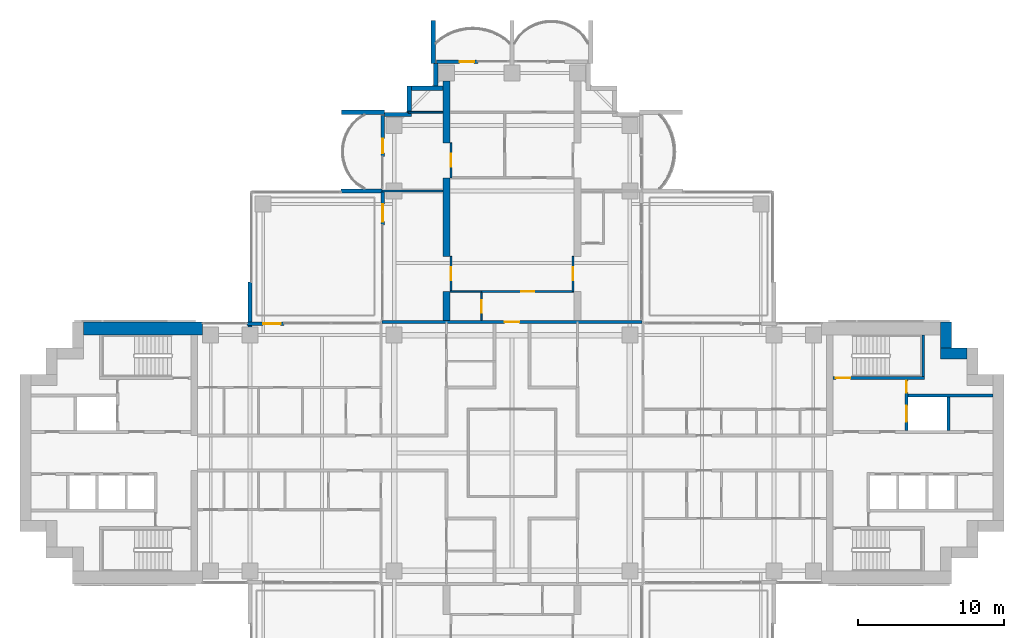
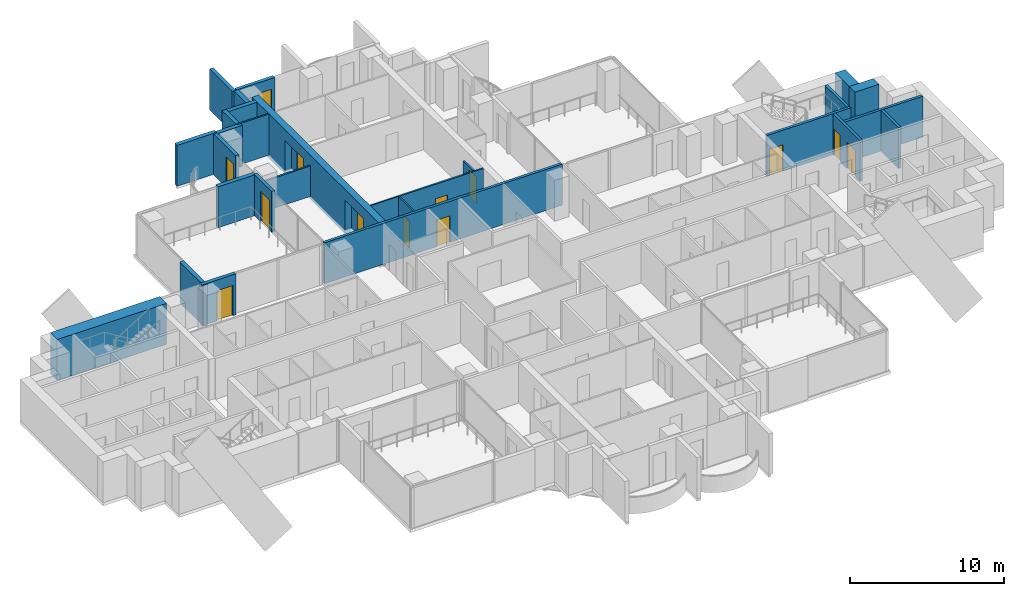
# One storey, part 13 of 19: 30 walls, 13 doors, 13 openings.
"""IFC4 building model written with IfcOpenShell, lengths in metres."""

from ifc_helpers import new_model, si_unit, direction, frame, frame_2d, origin, place, context, subcontext, project, spatial, polyline, rectangle, outline, extrude, material, layer, layer_set, material_profile, profile_set, type_object, element, fill, save


model = new_model("IFC4")

# Units and contexts
model_context = context("Model", 3, precision=1e-05, world=origin(), true_north=direction((0.0, 1.0)))
body_context = subcontext(model_context, "Body", "Model", "MODEL_VIEW")
ifc_project = project(units=[si_unit("LENGTHUNIT", "METRE"), si_unit("AREAUNIT", "SQUARE_METRE"), si_unit("VOLUMEUNIT", "CUBIC_METRE"), si_unit("PLANEANGLEUNIT", "RADIAN"), si_unit("MASSUNIT", "GRAM", prefix="KILO")], contexts=[model_context])

# Site, building, storey
site_placement = place(None, origin())
site = spatial("IfcSite", under=ifc_project, at=site_placement, CompositionType="ELEMENT")
building_placement = place(site_placement, origin())
building = spatial("IfcBuilding", under=site, at=building_placement, Name="Perihelion Cross Residences", CompositionType="ELEMENT")
storey_placement = place(building_placement, frame((0.0, 0.0, 137.39990234375)))
storey = spatial("IfcBuildingStorey", under=building, at=storey_placement, Name="L33", CompositionType="ELEMENT", Elevation=137.39990234375)

# Wall, opening, door
ifc_material_1 = material(Name="Plasterboard partition")
ifc_layer_1 = layer(ifc_material_1, 0.199951171875)
ifc_layer_set_1 = layer_set([ifc_layer_1], Name="Apartment separation wall 200")
wall_type_1 = type_object("IfcWallType", Name="Apartment separation wall 200", PredefinedType="PARTITIONING", material=ifc_layer_set_1)
wall_1_placement = place(storey_placement, frame((-8.919921875, 9.0, 0.0), z_axis=(0.0, 0.0, 1.0), x_axis=(1.0, 0.0, 0.0)))
wall_1 = element("IfcWall", 1, at=wall_1_placement, inside=storey, type_object=wall_type_1, Name="Partition L33 W021", PredefinedType="PARTITIONING", context=body_context, shape_type="SweptSolid", body=[
    extrude(rectangle(XDim=17.83984375, YDim=0.199951171875, at=frame_2d((8.919921875, 0.0))), origin(), (0.0, 0.0, 1.0), 3.25),
])
opening_1_placement = place(wall_1_placement, frame((8.419921875, 0.0, 0.0)))
opening_1 = element("IfcOpeningElement", 2, at=opening_1_placement, cuts=wall_1, Name="Opening L33.A32", PredefinedType="OPENING", context=body_context, shape_type="SweptSolid", body=[
    extrude(rectangle(XDim=1.0, YDim=2.10009765625, at=frame_2d((0.5, 1.050048828125))), frame((0.0, 0.10986328125, 0.0), z_axis=(0.0, -1.0, 0.0), x_axis=(1.0, 0.0, 0.0)), (0.0, 0.0, 1.0), 0.219970703125),
])
ifc_material_2 = material(Name="Timber door leaf", Category="wood")
door_type_1 = type_object("IfcDoorType", Name="Flat entrance door 1000 x 2100", OperationType="SINGLE_SWING_LEFT", PredefinedType="DOOR", material=ifc_material_2)
door_1_placement = place(opening_1_placement, origin())
door_1 = element("IfcDoor", 3, at=door_1_placement, inside=storey, type_object=door_type_1, Name="Door L33.A32", OperationType="SINGLE_SWING_RIGHT", OverallHeight=2.10009765625, OverallWidth=1.0, PredefinedType="DOOR", context=body_context, shape_type="SweptSolid", body=[
    extrude(rectangle(XDim=1.0, YDim=2.10009765625, at=frame_2d((0.5, 1.050048828125))), frame((0.0, 0.02490234375, 0.0), z_axis=(0.0, -1.0, 0.0), x_axis=(1.0, 0.0, 0.0)), (0.0, 0.0, 1.0), 0.050048828125),
])
fill(opening_1, door_1)

ifc_material_3 = material(Name="Concrete C30/37, bronze-clad", Category="concrete")
ifc_layer_2 = layer(ifc_material_3, 0.25)
ifc_layer_set_2 = layer_set([ifc_layer_2], Name="Bronze-clad pier wall 250")
wall_type_2 = type_object("IfcWallType", Name="Bronze-clad pier wall 250", PredefinedType="SOLIDWALL", material=ifc_layer_set_2)
wall_2_placement = place(storey_placement, frame((-2.35009765625, 26.875, 0.0), z_axis=(0.0, 0.0, 1.0), x_axis=(-1.0, 0.0, 0.0)))
wall_2 = element("IfcWall", 4, at=wall_2_placement, inside=storey, type_object=wall_type_2, Name="Wall FW1 L33 north tip north bay 2 pier", PredefinedType="SOLIDWALL", context=body_context, shape_type="SweptSolid", body=[
    extrude(rectangle(XDim=2.849853515625, YDim=0.25, at=frame_2d((1.4248046875, 0.0))), origin(), (0.0, 0.0, 1.0), 3.25),
])
opening_2_placement = place(wall_2_placement, frame((0.25, 0.0, 0.0)))
opening_2 = element("IfcOpeningElement", 5, at=opening_2_placement, cuts=wall_2, Name="Opening L33.E05", PredefinedType="OPENING", context=body_context, shape_type="SweptSolid", body=[
    extrude(rectangle(XDim=1.0, YDim=2.39990234375, at=frame_2d((0.5, 1.199951171875))), frame((0.0, 0.135009765625, 0.0), z_axis=(0.0, -1.0, 0.0), x_axis=(1.0, 0.0, 0.0)), (0.0, 0.0, 1.0), 0.27001953125),
])
ifc_material_4 = material(Name="Bronze anodised aluminium, glazed", Category="aluminium")
door_type_2 = type_object("IfcDoorType", Name="Balcony door 1000 x 2400", OperationType="NOTDEFINED", PredefinedType="DOOR", material=ifc_material_4)
door_2_placement = place(opening_2_placement, origin())
door_2 = element("IfcDoor", 6, at=door_2_placement, inside=storey, type_object=door_type_2, Name="Door L33.E05 north tip north bay 2", OperationType="SINGLE_SWING_RIGHT", OverallHeight=2.39990234375, OverallWidth=1.0, PredefinedType="DOOR", context=body_context, shape_type="SweptSolid", body=[
    extrude(rectangle(XDim=1.0, YDim=2.39990234375, at=frame_2d((0.5, 1.199951171875))), frame((0.0, 0.02490234375, 0.0), z_axis=(0.0, -1.0, 0.0), x_axis=(1.0, 0.0, 0.0)), (0.0, 0.0, 1.0), 0.050048828125),
])
fill(opening_2, door_2)

wall_3_placement = place(storey_placement, frame((-8.875, 23.199951171875, 0.0), z_axis=(0.0, 0.0, 1.0), x_axis=(0.0, -1.0, 0.0)))
wall_3 = element("IfcWall", 7, at=wall_3_placement, inside=storey, type_object=wall_type_2, Name="Wall FW1 L33 north side west bay 1 pier", PredefinedType="SOLIDWALL", context=body_context, shape_type="SweptSolid", body=[
    extrude(rectangle(XDim=2.849853515625, YDim=0.25, at=frame_2d((1.4248046875, 0.0))), origin(), (0.0, 0.0, 1.0), 3.25),
])
opening_3_placement = place(wall_3_placement, frame((1.60009765625, 0.0, 0.0)))
opening_3 = element("IfcOpeningElement", 8, at=opening_3_placement, cuts=wall_3, Name="Opening L33.E06", PredefinedType="OPENING", context=body_context, shape_type="SweptSolid", body=[
    extrude(rectangle(XDim=1.0, YDim=2.39990234375, at=frame_2d((0.5, 1.199951171875))), frame((0.0, 0.135009765625, 0.0), z_axis=(0.0, -1.0, 0.0), x_axis=(1.0, 0.0, 0.0)), (0.0, 0.0, 1.0), 0.27001953125),
])
door_3_placement = place(opening_3_placement, origin())
door_3 = element("IfcDoor", 9, at=door_3_placement, inside=storey, type_object=door_type_2, Name="Door L33.E06 north side west bay 1", OperationType="SINGLE_SWING_LEFT", OverallHeight=2.39990234375, OverallWidth=1.0, PredefinedType="DOOR", context=body_context, shape_type="SweptSolid", body=[
    extrude(rectangle(XDim=1.0, YDim=2.39990234375, at=frame_2d((0.5, 1.199951171875))), frame((0.0, 0.02490234375, 0.0), z_axis=(0.0, -1.0, 0.0), x_axis=(1.0, 0.0, 0.0)), (0.0, 0.0, 1.0), 0.050048828125),
])
fill(opening_3, door_3)

wall_4_placement = place(storey_placement, frame((-8.875, 17.93994140625, 0.0), z_axis=(0.0, 0.0, 1.0), x_axis=(0.0, -1.0, 0.0)))
wall_4 = element("IfcWall", 10, at=wall_4_placement, inside=storey, type_object=wall_type_2, Name="Wall FW1 L33 north side west bay 2 pier", PredefinedType="SOLIDWALL", context=body_context, shape_type="SweptSolid", body=[
    extrude(rectangle(XDim=2.2900390625, YDim=0.25, at=frame_2d((1.14501953125, 0.0))), origin(), (0.0, 0.0, 1.0), 3.25),
])
opening_4_placement = place(wall_4_placement, frame((0.840087890625, 0.0, 0.0)))
opening_4 = element("IfcOpeningElement", 11, at=opening_4_placement, cuts=wall_4, Name="Opening L33.E07", PredefinedType="OPENING", context=body_context, shape_type="SweptSolid", body=[
    extrude(rectangle(XDim=1.199951171875, YDim=2.39990234375, at=frame_2d((0.60009765625, 1.199951171875))), frame((0.0, 0.135009765625, 0.0), z_axis=(0.0, -1.0, 0.0), x_axis=(1.0, 0.0, 0.0)), (0.0, 0.0, 1.0), 0.27001953125),
])
ifc_material_5 = material(Name="Bronze anodised aluminium, glazed", Category="aluminium")
door_type_3 = type_object("IfcDoorType", Name="Balcony door 1200 x 2400", OperationType="NOTDEFINED", PredefinedType="DOOR", material=ifc_material_5)
door_4_placement = place(opening_4_placement, origin())
door_4 = element("IfcDoor", 12, at=door_4_placement, inside=storey, type_object=door_type_3, Name="Door L33.E07 north side west bay 2", OperationType="SINGLE_SWING_RIGHT", OverallHeight=2.39990234375, OverallWidth=1.199951171875, PredefinedType="DOOR", context=body_context, shape_type="SweptSolid", body=[
    extrude(rectangle(XDim=1.199951171875, YDim=2.39990234375, at=frame_2d((0.60009765625, 1.199951171875))), frame((0.0, 0.02490234375, 0.0), z_axis=(0.0, -1.0, 0.0), x_axis=(1.0, 0.0, 0.0)), (0.0, 0.0, 1.0), 0.050048828125),
])
fill(opening_4, door_4)

wall_5_placement = place(storey_placement, frame((-15.64990234375, 8.875, 0.0), z_axis=(0.0, 0.0, 1.0), x_axis=(-1.0, 0.0, 0.0)))
wall_5 = element("IfcWall", 13, at=wall_5_placement, inside=storey, type_object=wall_type_2, Name="Wall FW1 L33 west side north bay 1 pier", PredefinedType="SOLIDWALL", context=body_context, shape_type="SweptSolid", body=[
    extrude(rectangle(XDim=2.550048828125, YDim=0.25, at=frame_2d((1.27490234375, 0.0))), origin(), (0.0, 0.0, 1.0), 3.25),
])
opening_5_placement = place(wall_5_placement, frame((0.25, 0.0, 0.0)))
opening_5 = element("IfcOpeningElement", 14, at=opening_5_placement, cuts=wall_5, Name="Opening L33.E08", PredefinedType="OPENING", context=body_context, shape_type="SweptSolid", body=[
    extrude(rectangle(XDim=1.199951171875, YDim=2.39990234375, at=frame_2d((0.60009765625, 1.199951171875))), frame((0.0, 0.135009765625, 0.0), z_axis=(0.0, -1.0, 0.0), x_axis=(1.0, 0.0, 0.0)), (0.0, 0.0, 1.0), 0.27001953125),
])
door_5_placement = place(opening_5_placement, origin())
door_5 = element("IfcDoor", 15, at=door_5_placement, inside=storey, type_object=door_type_3, Name="Door L33.E08 west side north bay 1", OperationType="SINGLE_SWING_LEFT", OverallHeight=2.39990234375, OverallWidth=1.199951171875, PredefinedType="DOOR", context=body_context, shape_type="SweptSolid", body=[
    extrude(rectangle(XDim=1.199951171875, YDim=2.39990234375, at=frame_2d((0.60009765625, 1.199951171875))), frame((0.0, 0.02490234375, 0.0), z_axis=(0.0, -1.0, 0.0), x_axis=(1.0, 0.0, 0.0)), (0.0, 0.0, 1.0), 0.050048828125),
])
fill(opening_5, door_5)

# Walls
ifc_material_6 = material(Name="Concrete C30/37, bronze-clad", Category="concrete")
ifc_layer_3 = layer(ifc_material_6, 0.300048828125)
ifc_layer_set_3 = layer_set([ifc_layer_3], Name="Bronze-clad serration wall 300")
wall_type_3 = type_object("IfcWallType", Name="Bronze-clad serration wall 300", PredefinedType="SOLIDWALL", material=ifc_layer_set_3)
wall_6_placement = place(storey_placement, frame((-5.25, 26.75, 0.0), z_axis=(0.0, 0.0, 1.0), x_axis=(0.0, -1.0, 0.0)))
element("IfcWall", 16, at=wall_6_placement, inside=storey, type_object=wall_type_3, Name="Wall SR1 L33 north corner north-west 1", PredefinedType="SOLIDWALL", context=body_context, shape_type="SweptSolid", body=[
    extrude(rectangle(XDim=1.550048828125, YDim=0.300048828125, at=frame_2d((0.77490234375, 0.0))), origin(), (0.0, 0.0, 1.0), 3.25),
])
wall_7_placement = place(storey_placement, frame((-4.75, 25.050048828125, 0.0), z_axis=(0.0, 0.0, 1.0), x_axis=(-1.0, 0.0, 0.0)))
element("IfcWall", 17, at=wall_7_placement, inside=storey, type_object=wall_type_3, Name="Wall SR1 L33 north corner north-west 2", PredefinedType="SOLIDWALL", context=body_context, shape_type="SweptSolid", body=[
    extrude(rectangle(XDim=2.14990234375, YDim=0.300048828125, at=frame_2d((1.074951171875, 0.0))), origin(), (0.0, 0.0, 1.0), 3.25),
])
wall_8_placement = place(storey_placement, frame((-7.050048828125, 25.199951171875, 0.0), z_axis=(0.0, 0.0, 1.0), x_axis=(0.0, -1.0, 0.0)))
element("IfcWall", 18, at=wall_8_placement, inside=storey, type_object=wall_type_3, Name="Wall SR1 L33 north corner north-west 3", PredefinedType="SOLIDWALL", context=body_context, shape_type="SweptSolid", body=[
    extrude(rectangle(XDim=1.800048828125, YDim=0.300048828125, at=frame_2d((0.89990234375, 0.0))), origin(), (0.0, 0.0, 1.0), 3.25),
])
wall_9_placement = place(storey_placement, frame((-6.89990234375, 23.25, 0.0), z_axis=(0.0, 0.0, 1.0), x_axis=(-1.0, 0.0, 0.0)))
element("IfcWall", 19, at=wall_9_placement, inside=storey, type_object=wall_type_3, Name="Wall SR1 L33 north corner north-west 4", PredefinedType="SOLIDWALL", context=body_context, shape_type="SweptSolid", body=[
    extrude(rectangle(XDim=1.85009765625, YDim=0.300048828125, at=frame_2d((0.925048828125, 0.0))), origin(), (0.0, 0.0, 1.0), 3.25),
])
ifc_material_7 = material(Name="Concrete C60/75", Category="concrete")
ifc_layer_4 = layer(ifc_material_7, 0.75)
ifc_layer_set_4 = layer_set([ifc_layer_4], Name="Core wall, outer 750")
wall_type_4 = type_object("IfcWallType", Name="Core wall, outer 750", PredefinedType="SHEAR", material=ifc_layer_set_4)
for number, where, z_axis, x_axis, name in (
    (20, (29.449951171875, 6.824951171875, 0.0), (0.0, 0.0, 1.0), (1.0, 0.0, 0.0), "East core core wall, outer"),
    (21, (29.824951171875, 7.199951171875, 0.0), (0.0, 0.0, 1.0), (0.0, 1.0, 0.0), "East core core wall, outer"),
):
    element("IfcWall", number, at=place(storey_placement, frame(where, z_axis=z_axis, x_axis=x_axis)), inside=storey, type_object=wall_type_4, Name=name, PredefinedType="SHEAR", context=body_context, shape_type="SweptSolid", body=[
        extrude(rectangle(XDim=1.800048828125, YDim=0.75, at=frame_2d((0.89990234375, 0.0))), origin(), (0.0, 0.0, 1.0), 3.25),
    ])
ifc_material_8 = material(Name="Concrete C60/75", Category="concrete")
ifc_layer_5 = layer(ifc_material_8, 0.89990234375)
ifc_layer_set_5 = layer_set([ifc_layer_5], Name="Core wall, outer 900")
wall_type_5 = type_object("IfcWallType", Name="Core wall, outer 900", PredefinedType="SHEAR", material=ifc_layer_set_5)
wall_10_placement = place(storey_placement, frame((-29.449951171875, 8.550048828125, 0.0), z_axis=(0.0, 0.0, 1.0), x_axis=(1.0, 0.0, 0.0)))
element("IfcWall", 22, at=wall_10_placement, inside=storey, type_object=wall_type_5, Name="West core core wall, outer", PredefinedType="SHEAR", context=body_context, shape_type="SweptSolid", body=[
    extrude(rectangle(XDim=8.199951171875, YDim=0.89990234375, at=frame_2d((4.10009765625, 0.0))), origin(), (0.0, 0.0, 1.0), 3.25),
])

# Wall, opening, door
ifc_material_9 = material(Name="Plasterboard partition")
ifc_layer_6 = layer(ifc_material_9, 0.1201171875)
ifc_layer_set_6 = layer_set([ifc_layer_6], Name="Infill panel 120")
wall_type_6 = type_object("IfcWallType", Name="Infill panel 120", PredefinedType="PARTITIONING", material=ifc_layer_set_6)
wall_11_placement = place(storey_placement, frame((4.18994140625, 11.10009765625, 0.0), z_axis=(0.0, 0.0, 1.0), x_axis=(0.0, 1.0, 0.0)))
wall_11 = element("IfcWall", 23, at=wall_11_placement, inside=storey, type_object=wall_type_6, Name="Partition L33 WI01", PredefinedType="PARTITIONING", context=body_context, shape_type="SweptSolid", body=[
    extrude(rectangle(XDim=2.39990234375, YDim=0.1201171875, at=frame_2d((1.199951171875, 0.0))), origin(), (0.0, 0.0, 1.0), 2.400146484375),
])
opening_6_placement = place(wall_11_placement, frame((0.75, 0.0, 0.0)))
opening_6 = element("IfcOpeningElement", 24, at=opening_6_placement, cuts=wall_11, Name="Opening L33.A50", PredefinedType="OPENING", context=body_context, shape_type="SweptSolid", body=[
    extrude(rectangle(XDim=0.89990234375, YDim=2.10009765625, at=frame_2d((0.449951171875, 1.050048828125))), frame((0.0, 0.070068359375, 0.0), z_axis=(0.0, -1.0, 0.0), x_axis=(1.0, 0.0, 0.0)), (0.0, 0.0, 1.0), 0.14013671875),
])
ifc_material_10 = material(Name="Timber door leaf", Category="wood")
door_type_4 = type_object("IfcDoorType", Name="Interior room door 900 x 2100", OperationType="SINGLE_SWING_LEFT", PredefinedType="DOOR", material=ifc_material_10)
door_6_placement = place(opening_6_placement, origin())
door_6 = element("IfcDoor", 25, at=door_6_placement, inside=storey, type_object=door_type_4, Name="Door L33.A50", OperationType="SINGLE_SWING_RIGHT", OverallHeight=2.10009765625, OverallWidth=0.89990234375, PredefinedType="DOOR", context=body_context, shape_type="SweptSolid", body=[
    extrude(rectangle(XDim=0.89990234375, YDim=2.10009765625, at=frame_2d((0.449951171875, 1.050048828125))), frame((0.0, 0.02490234375, 0.0), z_axis=(0.0, -1.0, 0.0), x_axis=(1.0, 0.0, 0.0)), (0.0, 0.0, 1.0), 0.050048828125),
])
fill(opening_6, door_6)

wall_12_placement = place(storey_placement, frame((-4.18994140625, 11.10009765625, 0.0), z_axis=(0.0, 0.0, 1.0), x_axis=(0.0, 1.0, 0.0)))
wall_12 = element("IfcWall", 26, at=wall_12_placement, inside=storey, type_object=wall_type_6, Name="Partition L33 WI03", PredefinedType="PARTITIONING", context=body_context, shape_type="SweptSolid", body=[
    extrude(rectangle(XDim=2.39990234375, YDim=0.1201171875, at=frame_2d((1.199951171875, 0.0))), origin(), (0.0, 0.0, 1.0), 2.400146484375),
])
opening_7_placement = place(wall_12_placement, frame((0.75, 0.0, 0.0)))
opening_7 = element("IfcOpeningElement", 27, at=opening_7_placement, cuts=wall_12, Name="Opening L33.A52", PredefinedType="OPENING", context=body_context, shape_type="SweptSolid", body=[
    extrude(rectangle(XDim=0.89990234375, YDim=2.10009765625, at=frame_2d((0.449951171875, 1.050048828125))), frame((0.0, 0.070068359375, 0.0), z_axis=(0.0, -1.0, 0.0), x_axis=(1.0, 0.0, 0.0)), (0.0, 0.0, 1.0), 0.14013671875),
])
door_7_placement = place(opening_7_placement, origin())
door_7 = element("IfcDoor", 28, at=door_7_placement, inside=storey, type_object=door_type_4, Name="Door L33.A52", OperationType="SINGLE_SWING_LEFT", OverallHeight=2.10009765625, OverallWidth=0.89990234375, PredefinedType="DOOR", context=body_context, shape_type="SweptSolid", body=[
    extrude(rectangle(XDim=0.89990234375, YDim=2.10009765625, at=frame_2d((0.449951171875, 1.050048828125))), frame((0.0, 0.02490234375, 0.0), z_axis=(0.0, -1.0, 0.0), x_axis=(1.0, 0.0, 0.0)), (0.0, 0.0, 1.0), 0.050048828125),
])
fill(opening_7, door_7)

wall_13_placement = place(storey_placement, frame((-4.18994140625, 18.89990234375, 0.0), z_axis=(0.0, 0.0, 1.0), x_axis=(0.0, 1.0, 0.0)))
wall_13 = element("IfcWall", 29, at=wall_13_placement, inside=storey, type_object=wall_type_6, Name="Partition L33 WI04", PredefinedType="PARTITIONING", context=body_context, shape_type="SweptSolid", body=[
    extrude(rectangle(XDim=2.400146484375, YDim=0.1201171875, at=frame_2d((1.2001953125, 0.0))), origin(), (0.0, 0.0, 1.0), 2.400146484375),
])
opening_8_placement = place(wall_13_placement, frame((0.75, 0.0, 0.0)))
opening_8 = element("IfcOpeningElement", 30, at=opening_8_placement, cuts=wall_13, Name="Opening L33.A53", PredefinedType="OPENING", context=body_context, shape_type="SweptSolid", body=[
    extrude(rectangle(XDim=0.89990234375, YDim=2.10009765625, at=frame_2d((0.449951171875, 1.050048828125))), frame((0.0, 0.070068359375, 0.0), z_axis=(0.0, -1.0, 0.0), x_axis=(1.0, 0.0, 0.0)), (0.0, 0.0, 1.0), 0.14013671875),
])
door_8_placement = place(opening_8_placement, origin())
door_8 = element("IfcDoor", 31, at=door_8_placement, inside=storey, type_object=door_type_4, Name="Door L33.A53", OperationType="SINGLE_SWING_RIGHT", OverallHeight=2.10009765625, OverallWidth=0.89990234375, PredefinedType="DOOR", context=body_context, shape_type="SweptSolid", body=[
    extrude(rectangle(XDim=0.89990234375, YDim=2.10009765625, at=frame_2d((0.449951171875, 1.050048828125))), frame((0.0, 0.02490234375, 0.0), z_axis=(0.0, -1.0, 0.0), x_axis=(1.0, 0.0, 0.0)), (0.0, 0.0, 1.0), 0.050048828125),
])
fill(opening_8, door_8)

ifc_material_11 = material(Name="Plasterboard partition")
ifc_layer_7 = layer(ifc_material_11, 0.1201171875)
ifc_layer_set_7 = layer_set([ifc_layer_7], Name="Partition wall 120")
wall_type_7 = type_object("IfcWallType", Name="Partition wall 120", PredefinedType="PARTITIONING", material=ifc_layer_set_7)
wall_14_placement = place(storey_placement, frame((-2.10009765625, 11.10009765625, 0.0), z_axis=(0.0, 0.0, 1.0), x_axis=(1.0, 0.0, 0.0)))
wall_14 = element("IfcWall", 32, at=wall_14_placement, inside=storey, type_object=wall_type_7, Name="Partition L33 W065", PredefinedType="PARTITIONING", context=body_context, shape_type="SweptSolid", body=[
    extrude(rectangle(XDim=6.35009765625, YDim=0.1201171875, at=frame_2d((3.175048828125, 0.0))), origin(), (0.0, 0.0, 1.0), 3.25),
])
opening_9_placement = place(wall_14_placement, frame((2.72509765625, 0.0, 0.0)))
opening_9 = element("IfcOpeningElement", 33, at=opening_9_placement, cuts=wall_14, Name="Opening L33.A34", PredefinedType="OPENING", context=body_context, shape_type="SweptSolid", body=[
    extrude(rectangle(XDim=0.89990234375, YDim=2.10009765625, at=frame_2d((0.449951171875, 1.050048828125))), frame((0.0, 0.070068359375, 0.0), z_axis=(0.0, -1.0, 0.0), x_axis=(1.0, 0.0, 0.0)), (0.0, 0.0, 1.0), 0.14013671875),
])
door_9_placement = place(opening_9_placement, origin())
door_9 = element("IfcDoor", 34, at=door_9_placement, inside=storey, type_object=door_type_4, Name="Door L33.A34", OperationType="SINGLE_SWING_RIGHT", OverallHeight=2.10009765625, OverallWidth=0.89990234375, PredefinedType="DOOR", context=body_context, shape_type="SweptSolid", body=[
    extrude(rectangle(XDim=0.89990234375, YDim=2.10009765625, at=frame_2d((0.449951171875, 1.050048828125))), frame((0.0, 0.02490234375, 0.0), z_axis=(0.0, -1.0, 0.0), x_axis=(1.0, 0.0, 0.0)), (0.0, 0.0, 1.0), 0.050048828125),
])
fill(opening_9, door_9)

# Walls
wall_15_placement = place(storey_placement, frame((-8.919921875, 18.0, 0.0), z_axis=(0.0, 0.0, 1.0), x_axis=(1.0, 0.0, 0.0)))
element("IfcWall", 35, at=wall_15_placement, inside=storey, type_object=wall_type_7, Name="Partition L33 W075", PredefinedType="PARTITIONING", context=body_context, shape_type="SweptSolid", body=[
    extrude(rectangle(XDim=4.169921875, YDim=0.1201171875, at=frame_2d((2.0849609375, 0.0))), origin(), (0.0, 0.0, 1.0), 2.4140625),
])
wall_16_placement = place(storey_placement, frame((-7.1201171875, 23.39990234375, 0.0), z_axis=(0.0, 0.0, 1.0), x_axis=(1.0, 0.0, 0.0)))
element("IfcWall", 36, at=wall_16_placement, inside=storey, type_object=wall_type_7, Name="Partition L33 W076", PredefinedType="PARTITIONING", context=body_context, shape_type="SweptSolid", body=[
    extrude(rectangle(XDim=2.3701171875, YDim=0.1201171875, at=frame_2d((1.18505859375, 0.0))), origin(), (0.0, 0.0, 1.0), 3.25),
])
ifc_material_12 = material(Name="Precast concrete C50/60", Category="concrete")
ifc_layer_8 = layer(ifc_material_12, 0.300048828125)
ifc_layer_set_8 = layer_set([ifc_layer_8], Name="Precast concrete C50/60 blade wall 300")
wall_type_8 = type_object("IfcWallType", Name="Precast concrete C50/60 blade wall 300", PredefinedType="SOLIDWALL", material=ifc_layer_set_8)
wall_17_placement = place(storey_placement, frame((-18.0, 8.64990234375, 0.0), z_axis=(0.0, 0.0, 1.0), x_axis=(0.0, 1.0, 0.0)))
element("IfcWall", 37, at=wall_17_placement, inside=storey, type_object=wall_type_8, Name="Wall BL1 L33 no. 2", PredefinedType="SOLIDWALL", context=body_context, shape_type="SweptSolid", body=[
    extrude(rectangle(XDim=3.090087890625, YDim=0.300048828125, at=frame_2d((1.544921875, 0.0))), origin(), (0.0, 0.0, 1.0), 3.25),
])
wall_18_placement = place(storey_placement, frame((-8.919921875, 18.0, 0.0), z_axis=(0.0, 0.0, 1.0), x_axis=(-1.0, 0.0, 0.0)))
element("IfcWall", 38, at=wall_18_placement, inside=storey, type_object=wall_type_8, Name="Wall BL1 L33 no. 6", PredefinedType="SOLIDWALL", context=body_context, shape_type="SweptSolid", body=[
    extrude(rectangle(XDim=2.820068359375, YDim=0.300048828125, at=frame_2d((1.41015625, 0.0))), origin(), (0.0, 0.0, 1.0), 3.25),
])
for number, where, z_axis, x_axis, name in (
    (39, (-8.75, 23.39990234375, 0.0), (0.0, 0.0, 1.0), (-1.0, 0.0, 0.0), "Wall BL1 L33 no. 7"),
    (40, (-5.39990234375, 26.75, 0.0), (0.0, 0.0, 1.0), (0.0, 1.0, 0.0), "Wall BL1 L33 no. 4"),
):
    element("IfcWall", number, at=place(storey_placement, frame(where, z_axis=z_axis, x_axis=x_axis)), inside=storey, type_object=wall_type_8, Name=name, PredefinedType="SOLIDWALL", context=body_context, shape_type="SweptSolid", body=[
        extrude(rectangle(XDim=2.949951171875, YDim=0.300048828125, at=frame_2d((1.47509765625, 0.0))), origin(), (0.0, 0.0, 1.0), 3.25),
    ])
ifc_material_13 = material(Name="Concrete C50/60", Category="concrete")
ifc_layer_9 = layer(ifc_material_13, 0.199951171875)
ifc_layer_set_9 = layer_set([ifc_layer_9], Name="Shaft wall 200")
wall_type_9 = type_object("IfcWallType", Name="Shaft wall 200", PredefinedType="SOLIDWALL", material=ifc_layer_set_9)
wall_19_placement = place(storey_placement, frame((27.199951171875, 3.949951171875, 0.0), z_axis=(0.0, 0.0, 1.0), x_axis=(1.0, 0.0, 0.0)))
element("IfcWall", 41, at=wall_19_placement, inside=storey, type_object=wall_type_9, Name="East core shaft wall", PredefinedType="SOLIDWALL", context=body_context, shape_type="SweptSolid", body=[
    extrude(rectangle(XDim=5.85009765625, YDim=0.199951171875, at=frame_2d((2.925048828125, 0.0))), origin(), (0.0, 0.0, 1.0), 3.25),
])

# Wall, openings, doors
wall_20_placement = place(storey_placement, frame((27.10009765625, 1.550048828125, 0.0), z_axis=(0.0, 0.0, 1.0), x_axis=(0.0, 1.0, 0.0)))
wall_20 = element("IfcWall", 42, at=wall_20_placement, inside=storey, type_object=wall_type_9, Name="East core shaft wall", PredefinedType="SOLIDWALL", context=body_context, shape_type="SweptSolid", body=[
    extrude(rectangle(XDim=3.5, YDim=0.199951171875, at=frame_2d((1.75, 0.0))), origin(), (0.0, 0.0, 1.0), 3.25),
])
opening_10_placement = place(wall_20_placement, frame((0.60009765625, 0.0, 0.0)))
opening_10 = element("IfcOpeningElement", 43, at=opening_10_placement, cuts=wall_20, Name="Opening L33.C02", PredefinedType="OPENING", context=body_context, shape_type="SweptSolid", body=[
    extrude(rectangle(XDim=1.10009765625, YDim=2.10009765625, at=frame_2d((0.550048828125, 1.050048828125))), frame((0.0, 0.10986328125, 0.0), z_axis=(0.0, -1.0, 0.0), x_axis=(1.0, 0.0, 0.0)), (0.0, 0.0, 1.0), 0.219970703125),
])
opening_11_placement = place(wall_20_placement, frame((2.60009765625, 0.0, 0.0)))
opening_11 = element("IfcOpeningElement", 44, at=opening_11_placement, cuts=wall_20, Name="Opening L33.C10", PredefinedType="OPENING", context=body_context, shape_type="SweptSolid", body=[
    extrude(rectangle(XDim=0.800048828125, YDim=2.10009765625, at=frame_2d((0.39990234375, 1.050048828125))), frame((0.0, 0.10986328125, 0.0), z_axis=(0.0, -1.0, 0.0), x_axis=(1.0, 0.0, 0.0)), (0.0, 0.0, 1.0), 0.219970703125),
])
ifc_material_14 = material(Name="Stainless steel", Category="steel")
door_type_5 = type_object("IfcDoorType", Name="Landing door, firefighting lift 1100", OperationType="DOUBLE_DOOR_SLIDING", PredefinedType="DOOR", material=ifc_material_14)
door_10_placement = place(opening_10_placement, origin())
door_10 = element("IfcDoor", 45, at=door_10_placement, inside=storey, type_object=door_type_5, Name="Landing door, East core firefighting and service lift", OperationType="DOUBLE_DOOR_SLIDING", OverallHeight=2.10009765625, OverallWidth=1.10009765625, PredefinedType="DOOR", context=body_context, shape_type="SweptSolid", body=[
    extrude(rectangle(XDim=1.10009765625, YDim=2.10009765625, at=frame_2d((0.550048828125, 1.050048828125))), frame((0.0, 0.02490234375, 0.0), z_axis=(0.0, -1.0, 0.0), x_axis=(1.0, 0.0, 0.0)), (0.0, 0.0, 1.0), 0.050048828125),
])
fill(opening_10, door_10)
ifc_material_15 = material(Name="Steel, powder coated", Category="steel")
door_type_6 = type_object("IfcDoorType", Name="Riser door 800", OperationType="SINGLE_SWING_LEFT", PredefinedType="DOOR", material=ifc_material_15)
door_11_placement = place(opening_11_placement, origin())
door_11 = element("IfcDoor", 46, at=door_11_placement, inside=storey, type_object=door_type_6, Name="East core riser door", OperationType="SINGLE_SWING_LEFT", OverallHeight=2.10009765625, OverallWidth=0.800048828125, PredefinedType="DOOR", context=body_context, shape_type="SweptSolid", body=[
    extrude(rectangle(XDim=0.800048828125, YDim=2.10009765625, at=frame_2d((0.39990234375, 1.050048828125))), frame((0.0, 0.02490234375, 0.0), z_axis=(0.0, -1.0, 0.0), x_axis=(1.0, 0.0, 0.0)), (0.0, 0.0, 1.0), 0.050048828125),
])
fill(opening_11, door_11)

# Wall
wall_21_placement = place(storey_placement, frame((30.0, 1.550048828125, 0.0), z_axis=(0.0, 0.0, 1.0), x_axis=(0.0, 1.0, 0.0)))
element("IfcWall", 47, at=wall_21_placement, inside=storey, type_object=wall_type_9, Name="East core shaft wall", PredefinedType="SOLIDWALL", context=body_context, shape_type="SweptSolid", body=[
    extrude(rectangle(XDim=2.300048828125, YDim=0.199951171875, at=frame_2d((1.14990234375, 0.0))), origin(), (0.0, 0.0, 1.0), 3.25),
])

# Wall, opening, door
ifc_material_16 = material(Name="Concrete C50/60", Category="concrete")
ifc_layer_10 = layer(ifc_material_16, 0.199951171875)
ifc_layer_set_10 = layer_set([ifc_layer_10], Name="Stair wall 200")
wall_type_10 = type_object("IfcWallType", Name="Stair wall 200", PredefinedType="SOLIDWALL", material=ifc_layer_set_10)
wall_22_placement = place(storey_placement, frame((22.050048828125, 5.14990234375, 0.0), z_axis=(0.0, 0.0, 1.0), x_axis=(1.0, 0.0, 0.0)))
wall_22 = element("IfcWall", 48, at=wall_22_placement, inside=storey, type_object=wall_type_10, Name="East core stair wall", PredefinedType="SOLIDWALL", context=body_context, shape_type="SweptSolid", body=[
    extrude(rectangle(XDim=6.300048828125, YDim=0.199951171875, at=frame_2d((3.14990234375, 0.0))), origin(), (0.0, 0.0, 1.0), 3.25),
])
opening_12_placement = place(wall_22_placement, frame((0.199951171875, 0.0, 0.0)))
opening_12 = element("IfcOpeningElement", 49, at=opening_12_placement, cuts=wall_22, Name="Opening L33.C06", PredefinedType="OPENING", context=body_context, shape_type="SweptSolid", body=[
    extrude(rectangle(XDim=1.0, YDim=2.10009765625, at=frame_2d((0.5, 1.050048828125))), frame((0.0, 0.10986328125, 0.0), z_axis=(0.0, -1.0, 0.0), x_axis=(1.0, 0.0, 0.0)), (0.0, 0.0, 1.0), 0.219970703125),
])
ifc_material_17 = material(Name="Steel, powder coated", Category="steel")
door_type_7 = type_object("IfcDoorType", Name="Stair door 1000", OperationType="SINGLE_SWING_LEFT", PredefinedType="DOOR", material=ifc_material_17)
door_12_placement = place(opening_12_placement, origin())
door_12 = element("IfcDoor", 50, at=door_12_placement, inside=storey, type_object=door_type_7, Name="East core stair door", OperationType="SINGLE_SWING_LEFT", OverallHeight=2.10009765625, OverallWidth=1.0, PredefinedType="DOOR", context=body_context, shape_type="SweptSolid", body=[
    extrude(rectangle(XDim=1.0, YDim=2.10009765625, at=frame_2d((0.5, 1.050048828125))), frame((0.0, 0.02490234375, 0.0), z_axis=(0.0, -1.0, 0.0), x_axis=(1.0, 0.0, 0.0)), (0.0, 0.0, 1.0), 0.050048828125),
])
fill(opening_12, door_12)

# Walls
wall_23_placement = place(storey_placement, frame((28.25, 5.25, 0.0), z_axis=(0.0, 0.0, 1.0), x_axis=(0.0, 1.0, 0.0)))
element("IfcWall", 51, at=wall_23_placement, inside=storey, type_object=wall_type_10, Name="East core stair wall", PredefinedType="SOLIDWALL", context=body_context, shape_type="SweptSolid", body=[
    extrude(rectangle(XDim=2.85009765625, YDim=0.199951171875, at=frame_2d((1.425048828125, 0.0))), origin(), (0.0, 0.0, 1.0), 3.25),
])
ifc_material_18 = material(Name="Concrete C60/75", Category="concrete")
ifc_material_profile = material_profile(ifc_material_18, outline(polyline([(0.0, 0.0), (2.10009765625, 0.0), (2.10009765625, 2.64990234375), (4.5, 2.64990234375), (4.5, 0.0), (9.89990234375, 0.0), (9.89990234375, 2.64990234375), (12.300048828125, 2.64990234375), (12.300048828125, 0.0), (16.550048828125, 0.0), (16.550048828125, 3.5), (0.0, 3.5), (0.0, 0.0)])), Name="Tip spine wall")
ifc_profile_set = profile_set([ifc_material_profile], Name="Concrete C60/75")
wall_type_11 = type_object("IfcWallType", Name="Tip spine wall 500 with 2 door openings 16550 long 3500 high concrete C60/75", PredefinedType="SHEAR", material=ifc_profile_set)
wall_24_placement = place(storey_placement, frame((-4.75, 9.0, -0.25), z_axis=(1.0, 0.0, 0.0), x_axis=(0.0, 1.0, 0.0)))
element("IfcWall", 52, at=wall_24_placement, inside=storey, type_object=wall_type_11, Name="Shear wall SW34 L33 north west", PredefinedType="SHEAR", context=body_context, shape_type="SweptSolid", body=[
    extrude(outline(polyline([(0.0, 0.0), (2.10009765625, 0.0), (2.10009765625, 2.64990234375), (4.5, 2.64990234375), (4.5, 0.0), (9.89990234375, 0.0), (9.89990234375, 2.64990234375), (12.300048828125, 2.64990234375), (12.300048828125, 0.0), (16.550048828125, 0.0), (16.550048828125, 3.5), (0.0, 3.5), (0.0, 0.0)])), origin(), (0.0, 0.0, 1.0), 0.5),
])

# Wall, opening, door
ifc_material_19 = material(Name="Plasterboard partition")
ifc_layer_11 = layer(ifc_material_19, 0.10009765625)
ifc_layer_set_11 = layer_set([ifc_layer_11], Name="Wet room wall 100")
wall_type_12 = type_object("IfcWallType", Name="Wet room wall 100", PredefinedType="PARTITIONING", material=ifc_layer_set_11)
wall_25_placement = place(storey_placement, frame((-2.10009765625, 9.10009765625, 0.0), z_axis=(0.0, 0.0, 1.0), x_axis=(0.0, 1.0, 0.0)))
wall_25 = element("IfcWall", 53, at=wall_25_placement, inside=storey, type_object=wall_type_12, Name="Partition L33 W064", PredefinedType="PARTITIONING", context=body_context, shape_type="SweptSolid", body=[
    extrude(rectangle(XDim=1.93994140625, YDim=0.10009765625, at=frame_2d((0.969970703125, 0.0))), origin(), (0.0, 0.0, 1.0), 3.25),
])
opening_13_placement = place(wall_25_placement, frame((0.544921875, 0.0, 0.0)))
opening_13 = element("IfcOpeningElement", 54, at=opening_13_placement, cuts=wall_25, Name="Opening L33.A33", PredefinedType="OPENING", context=body_context, shape_type="SweptSolid", body=[
    extrude(rectangle(XDim=0.85009765625, YDim=2.10009765625, at=frame_2d((0.425048828125, 1.050048828125))), frame((0.0, 0.06005859375, 0.0), z_axis=(0.0, -1.0, 0.0), x_axis=(1.0, 0.0, 0.0)), (0.0, 0.0, 1.0), 0.1201171875),
])
ifc_material_20 = material(Name="Timber door leaf", Category="wood")
door_type_8 = type_object("IfcDoorType", Name="Interior bathroom door 850 x 2100", OperationType="SINGLE_SWING_LEFT", PredefinedType="DOOR", material=ifc_material_20)
door_13_placement = place(opening_13_placement, origin())
door_13 = element("IfcDoor", 55, at=door_13_placement, inside=storey, type_object=door_type_8, Name="Door L33.A33", OperationType="SINGLE_SWING_LEFT", OverallHeight=2.10009765625, OverallWidth=0.85009765625, PredefinedType="DOOR", context=body_context, shape_type="SweptSolid", body=[
    extrude(rectangle(XDim=0.85009765625, YDim=2.10009765625, at=frame_2d((0.425048828125, 1.050048828125))), frame((0.0, 0.02490234375, 0.0), z_axis=(0.0, -1.0, 0.0), x_axis=(1.0, 0.0, 0.0)), (0.0, 0.0, 1.0), 0.050048828125),
])
fill(opening_13, door_13)

# Wall
wall_26_placement = place(storey_placement, frame((-4.25, 11.10009765625, 0.0), z_axis=(0.0, 0.0, 1.0), x_axis=(1.0, 0.0, 0.0)))
element("IfcWall", 56, at=wall_26_placement, inside=storey, type_object=wall_type_12, Name="Partition L33 W066", PredefinedType="PARTITIONING", context=body_context, shape_type="SweptSolid", body=[
    extrude(rectangle(XDim=2.14990234375, YDim=0.10009765625, at=frame_2d((1.074951171875, 0.0))), origin(), (0.0, 0.0, 1.0), 3.25),
])

save(model, "model.ifc")
